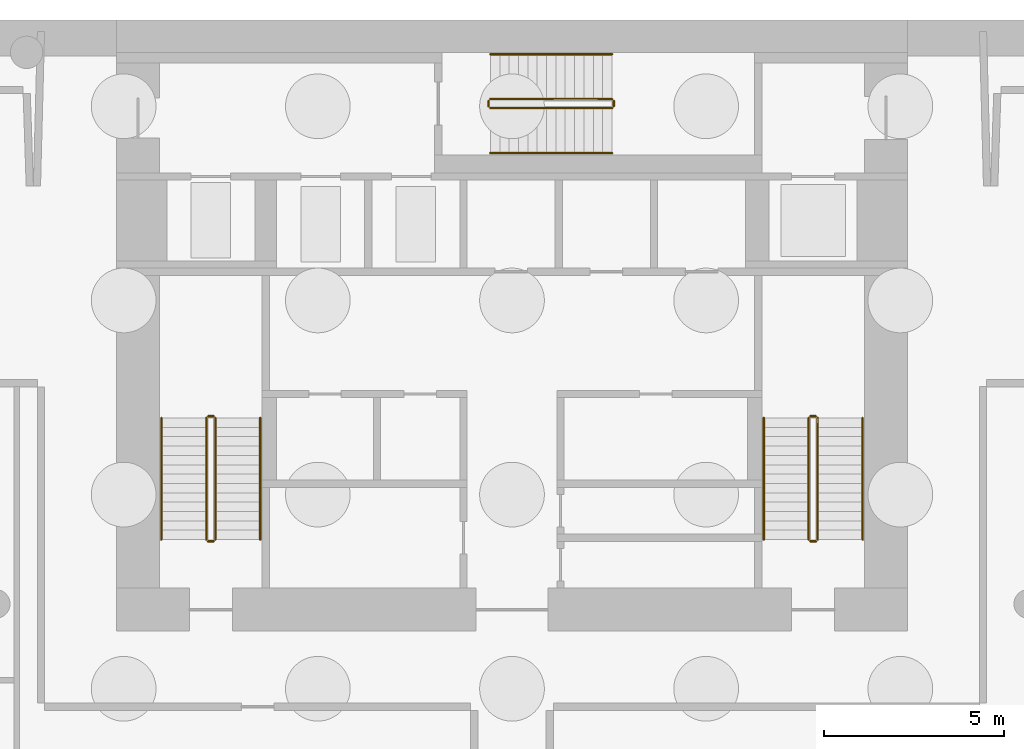
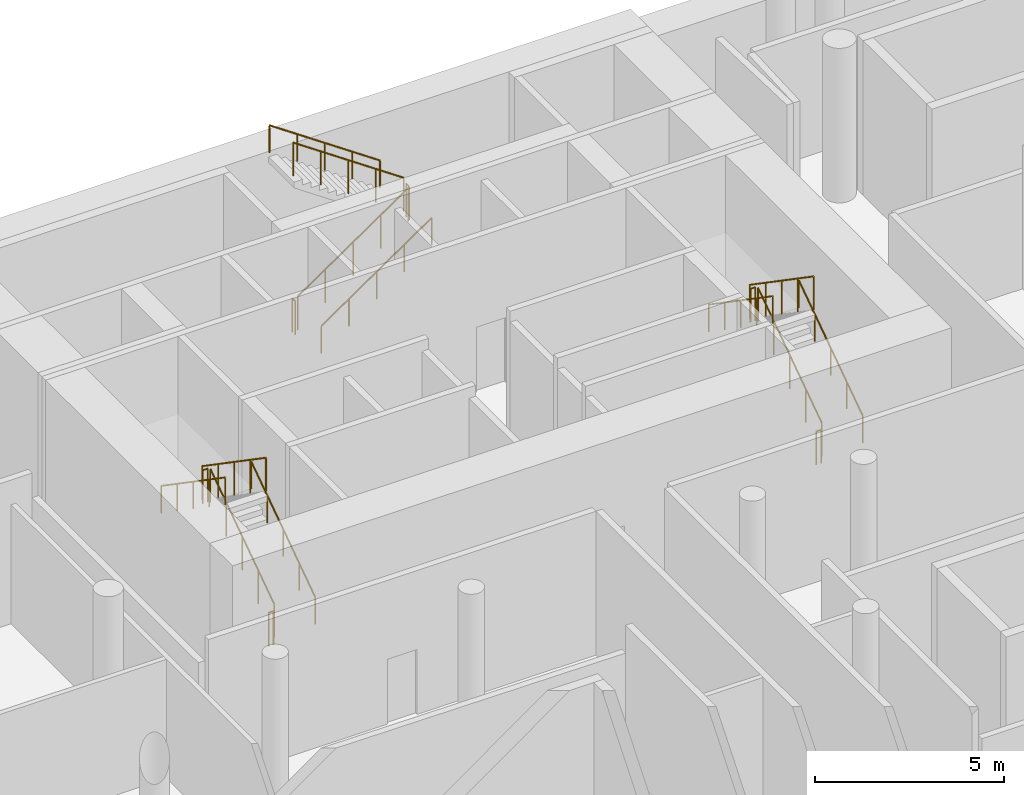
# One storey, part 11 of 12: 18 railings.
"""IFC4 building model written with IfcOpenShell, lengths in metres."""

from ifc_helpers import new_model, si_unit, direction, frame, origin, origin_2d, place, context, subcontext, project, spatial, circle, extrude, material, type_object, element, save


model = new_model("IFC4")

# Units and contexts
model_context = context("Model", 3, precision=1e-05, world=origin(), true_north=direction((0.0, 1.0)))
body_context = subcontext(model_context, "Body", "Model", "MODEL_VIEW")
ifc_project = project(units=[si_unit("LENGTHUNIT", "METRE"), si_unit("AREAUNIT", "SQUARE_METRE"), si_unit("VOLUMEUNIT", "CUBIC_METRE"), si_unit("PLANEANGLEUNIT", "RADIAN"), si_unit("MASSUNIT", "GRAM", prefix="KILO")], contexts=[model_context])

# Site, building, storey
site_placement = place(None, origin())
site = spatial("IfcSite", under=ifc_project, at=site_placement, CompositionType="ELEMENT")
building_placement = place(site_placement, origin())
building = spatial("IfcBuilding", under=site, at=building_placement, Name="White Candle Pilgrim Tower", CompositionType="ELEMENT")
storey_placement = place(building_placement, frame((0.0, 0.0, -10.0)))
storey = spatial("IfcBuildingStorey", under=building, at=storey_placement, Name="B2", CompositionType="ELEMENT", Elevation=-10.0)

# Railings
ifc_material = material(Name="Stainless steel", Category="steel")
railing_type_1 = type_object("IfcRailingType", Name="Stair guard stainless steel 1100 mm", PredefinedType="GUARDRAIL", material=ifc_material)
railing_1_placement = place(storey_placement, frame((61.75, 73.550048828125, 0.178466796875)))
element("IfcRailing", 1, at=railing_1_placement, inside=storey, type_object=railing_type_1, Name="B2 ST1 stair guard 1", PredefinedType="GUARDRAIL", context=body_context, shape_type="SweptSolid", body=[
    extrude(circle(Radius=0.02392578125, at=origin_2d()), frame((0.0, 0.0, 1.076171875), z_axis=(0.0, 0.824285065979, 0.566174999451), x_axis=(-1.0, 0.0, 0.0)), (0.0, 0.0, 1.0), 4.100341796875),
    extrude(circle(Radius=0.02099609375, at=origin_2d()), origin(), (0.0, 0.0, 1.0), 1.052001953125),
    extrude(circle(Radius=0.02099609375, at=origin_2d()), frame((0.0, 0.844970703125, 0.580322265625)), (0.0, 0.0, 1.0), 1.052001953125),
    extrude(circle(Radius=0.02099609375, at=origin_2d()), frame((0.0, 1.68994140625, 1.16064453125)), (0.0, 0.0, 1.0), 1.052001953125),
    extrude(circle(Radius=0.02099609375, at=origin_2d()), frame((0.0, 2.534912109375, 1.7412109375)), (0.0, 0.0, 1.0), 1.052001953125),
    extrude(circle(Radius=0.02099609375, at=origin_2d()), frame((0.0, 3.3798828125, 2.321533203125)), (0.0, 0.0, 1.0), 1.052001953125),
])
railing_2_placement = place(storey_placement, frame((61.699951171875, 76.97998046875, 2.5)))
element("IfcRailing", 2, at=railing_2_placement, inside=storey, type_object=railing_type_1, Name="B2 ST1 stair guard 2", PredefinedType="GUARDRAIL", context=body_context, shape_type="SweptSolid", body=[
    extrude(circle(Radius=0.02392578125, at=origin_2d()), frame((0.0, 0.0, 1.076171875), z_axis=(-1.0, 0.0, 0.0), x_axis=(0.0, -1.0, 0.0)), (0.0, 0.0, 1.0), 0.14990234375),
    extrude(circle(Radius=0.02099609375, at=origin_2d()), origin(), (0.0, 0.0, 1.0), 1.052001953125),
    extrude(circle(Radius=0.02099609375, at=origin_2d()), frame((-0.14990234375, 0.0, 0.0)), (0.0, 0.0, 1.0), 1.052001953125),
])
railing_3_placement = place(storey_placement, frame((61.5, 76.929931640625, 2.678466796875)))
element("IfcRailing", 3, at=railing_3_placement, inside=storey, type_object=railing_type_1, Name="B2 ST1 stair guard 3", PredefinedType="GUARDRAIL", context=body_context, shape_type="SweptSolid", body=[
    extrude(circle(Radius=0.02392578125, at=origin_2d()), frame((0.0, 0.0, 1.076171875), z_axis=(0.0, -0.824285065979, 0.566174999451), x_axis=(1.0, 0.0, 0.0)), (0.0, 0.0, 1.0), 4.100341796875),
    extrude(circle(Radius=0.02099609375, at=origin_2d()), origin(), (0.0, 0.0, 1.0), 1.052001953125),
    extrude(circle(Radius=0.02099609375, at=origin_2d()), frame((0.0, -0.844970703125, 0.580322265625)), (0.0, 0.0, 1.0), 1.052001953125),
    extrude(circle(Radius=0.02099609375, at=origin_2d()), frame((0.0, -1.68994140625, 1.16064453125)), (0.0, 0.0, 1.0), 1.052001953125),
    extrude(circle(Radius=0.02099609375, at=origin_2d()), frame((0.0, -2.534912109375, 1.7412109375)), (0.0, 0.0, 1.0), 1.052001953125),
    extrude(circle(Radius=0.02099609375, at=origin_2d()), frame((0.0, -3.3798828125, 2.321533203125)), (0.0, 0.0, 1.0), 1.052001953125),
])
railing_4_placement = place(storey_placement, frame((61.699951171875, 73.5, 0.0)))
element("IfcRailing", 4, at=railing_4_placement, inside=storey, type_object=railing_type_1, Name="B2 ST1 stair guard 4", PredefinedType="GUARDRAIL", context=body_context, shape_type="SweptSolid", body=[
    extrude(circle(Radius=0.02392578125, at=origin_2d()), frame((0.0, 0.0, 1.076171875), z_axis=(-1.0, 0.0, 0.0), x_axis=(0.0, -1.0, 0.0)), (0.0, 0.0, 1.0), 0.14990234375),
    extrude(circle(Radius=0.02099609375, at=origin_2d()), origin(), (0.0, 0.0, 1.0), 1.052001953125),
    extrude(circle(Radius=0.02099609375, at=origin_2d()), frame((-0.14990234375, 0.0, 0.0)), (0.0, 0.0, 1.0), 1.052001953125),
])
railing_5_placement = place(storey_placement, frame((78.5, 73.550048828125, 0.178466796875)))
element("IfcRailing", 5, at=railing_5_placement, inside=storey, type_object=railing_type_1, Name="B2 ST2 stair guard 1", PredefinedType="GUARDRAIL", context=body_context, shape_type="SweptSolid", body=[
    extrude(circle(Radius=0.02392578125, at=origin_2d()), frame((0.0, 0.0, 1.076171875), z_axis=(0.0, 0.824285065979, 0.566174999451), x_axis=(-1.0, 0.0, 0.0)), (0.0, 0.0, 1.0), 4.100341796875),
    extrude(circle(Radius=0.02099609375, at=origin_2d()), origin(), (0.0, 0.0, 1.0), 1.052001953125),
    extrude(circle(Radius=0.02099609375, at=origin_2d()), frame((0.0, 0.844970703125, 0.580322265625)), (0.0, 0.0, 1.0), 1.052001953125),
    extrude(circle(Radius=0.02099609375, at=origin_2d()), frame((0.0, 1.68994140625, 1.16064453125)), (0.0, 0.0, 1.0), 1.052001953125),
    extrude(circle(Radius=0.02099609375, at=origin_2d()), frame((0.0, 2.534912109375, 1.7412109375)), (0.0, 0.0, 1.0), 1.052001953125),
    extrude(circle(Radius=0.02099609375, at=origin_2d()), frame((0.0, 3.3798828125, 2.321533203125)), (0.0, 0.0, 1.0), 1.052001953125),
])
railing_6_placement = place(storey_placement, frame((78.449951171875, 76.97998046875, 2.5)))
element("IfcRailing", 6, at=railing_6_placement, inside=storey, type_object=railing_type_1, Name="B2 ST2 stair guard 2", PredefinedType="GUARDRAIL", context=body_context, shape_type="SweptSolid", body=[
    extrude(circle(Radius=0.02392578125, at=origin_2d()), frame((0.0, 0.0, 1.076171875), z_axis=(-1.0, 0.0, 0.0), x_axis=(0.0, -1.0, 0.0)), (0.0, 0.0, 1.0), 0.14990234375),
    extrude(circle(Radius=0.02099609375, at=origin_2d()), origin(), (0.0, 0.0, 1.0), 1.052001953125),
    extrude(circle(Radius=0.02099609375, at=origin_2d()), frame((-0.14990234375, 0.0, 0.0)), (0.0, 0.0, 1.0), 1.052001953125),
])
railing_7_placement = place(storey_placement, frame((78.25, 76.929931640625, 2.678466796875)))
element("IfcRailing", 7, at=railing_7_placement, inside=storey, type_object=railing_type_1, Name="B2 ST2 stair guard 3", PredefinedType="GUARDRAIL", context=body_context, shape_type="SweptSolid", body=[
    extrude(circle(Radius=0.02392578125, at=origin_2d()), frame((0.0, 0.0, 1.076171875), z_axis=(0.0, -0.824285065979, 0.566174999451), x_axis=(1.0, 0.0, 0.0)), (0.0, 0.0, 1.0), 4.100341796875),
    extrude(circle(Radius=0.02099609375, at=origin_2d()), origin(), (0.0, 0.0, 1.0), 1.052001953125),
    extrude(circle(Radius=0.02099609375, at=origin_2d()), frame((0.0, -0.844970703125, 0.580322265625)), (0.0, 0.0, 1.0), 1.052001953125),
    extrude(circle(Radius=0.02099609375, at=origin_2d()), frame((0.0, -1.68994140625, 1.16064453125)), (0.0, 0.0, 1.0), 1.052001953125),
    extrude(circle(Radius=0.02099609375, at=origin_2d()), frame((0.0, -2.534912109375, 1.7412109375)), (0.0, 0.0, 1.0), 1.052001953125),
    extrude(circle(Radius=0.02099609375, at=origin_2d()), frame((0.0, -3.3798828125, 2.321533203125)), (0.0, 0.0, 1.0), 1.052001953125),
])
railing_8_placement = place(storey_placement, frame((78.449951171875, 73.5, 0.0)))
element("IfcRailing", 8, at=railing_8_placement, inside=storey, type_object=railing_type_1, Name="B2 ST2 stair guard 4", PredefinedType="GUARDRAIL", context=body_context, shape_type="SweptSolid", body=[
    extrude(circle(Radius=0.02392578125, at=origin_2d()), frame((0.0, 0.0, 1.076171875), z_axis=(-1.0, 0.0, 0.0), x_axis=(0.0, -1.0, 0.0)), (0.0, 0.0, 1.0), 0.14990234375),
    extrude(circle(Radius=0.02099609375, at=origin_2d()), origin(), (0.0, 0.0, 1.0), 1.052001953125),
    extrude(circle(Radius=0.02099609375, at=origin_2d()), frame((-0.14990234375, 0.0, 0.0)), (0.0, 0.0, 1.0), 1.052001953125),
])
railing_9_placement = place(storey_placement, frame((69.39990234375, 85.550048828125, 0.178466796875)))
element("IfcRailing", 9, at=railing_9_placement, inside=storey, type_object=railing_type_1, Name="B2 ST3 stair guard 1", PredefinedType="GUARDRAIL", context=body_context, shape_type="SweptSolid", body=[
    extrude(circle(Radius=0.02392578125, at=origin_2d()), frame((0.0, 0.0, 1.076171875), z_axis=(0.824304150675, 0.0, 0.566147213346), x_axis=(0.0, 1.0, 0.0)), (0.0, 0.0, 1.0), 4.1005859375),
    extrude(circle(Radius=0.02099609375, at=origin_2d()), origin(), (0.0, 0.0, 1.0), 1.052001953125),
    extrude(circle(Radius=0.02099609375, at=origin_2d()), frame((0.844970703125, 0.0, 0.580322265625)), (0.0, 0.0, 1.0), 1.052001953125),
    extrude(circle(Radius=0.02099609375, at=origin_2d()), frame((1.68994140625, 0.0, 1.16064453125)), (0.0, 0.0, 1.0), 1.052001953125),
    extrude(circle(Radius=0.02099609375, at=origin_2d()), frame((2.53515625, 0.0, 1.7412109375)), (0.0, 0.0, 1.0), 1.052001953125),
    extrude(circle(Radius=0.02099609375, at=origin_2d()), frame((3.380126953125, 0.0, 2.321533203125)), (0.0, 0.0, 1.0), 1.052001953125),
])
railing_10_placement = place(storey_placement, frame((72.830078125, 85.60009765625, 2.5)))
element("IfcRailing", 10, at=railing_10_placement, inside=storey, type_object=railing_type_1, Name="B2 ST3 stair guard 2", PredefinedType="GUARDRAIL", context=body_context, shape_type="SweptSolid", body=[
    extrude(circle(Radius=0.02392578125, at=origin_2d()), frame((0.0, 0.0, 1.076171875), z_axis=(0.0, 1.0, 0.0), x_axis=(-1.0, 0.0, 0.0)), (0.0, 0.0, 1.0), 0.14990234375),
    extrude(circle(Radius=0.02099609375, at=origin_2d()), origin(), (0.0, 0.0, 1.0), 1.052001953125),
    extrude(circle(Radius=0.02099609375, at=origin_2d()), frame((0.0, 0.14990234375, 0.0)), (0.0, 0.0, 1.0), 1.052001953125),
])
railing_11_placement = place(storey_placement, frame((72.780029296875, 85.800048828125, 2.678466796875)))
element("IfcRailing", 11, at=railing_11_placement, inside=storey, type_object=railing_type_1, Name="B2 ST3 stair guard 3", PredefinedType="GUARDRAIL", context=body_context, shape_type="SweptSolid", body=[
    extrude(circle(Radius=0.02392578125, at=origin_2d()), frame((0.0, 0.0, 1.076171875), z_axis=(-0.824304150675, 0.0, 0.566147213346), x_axis=(0.0, -1.0, 0.0)), (0.0, 0.0, 1.0), 4.1005859375),
    extrude(circle(Radius=0.02099609375, at=origin_2d()), origin(), (0.0, 0.0, 1.0), 1.052001953125),
    extrude(circle(Radius=0.02099609375, at=origin_2d()), frame((-0.844970703125, 0.0, 0.580322265625)), (0.0, 0.0, 1.0), 1.052001953125),
    extrude(circle(Radius=0.02099609375, at=origin_2d()), frame((-1.68994140625, 0.0, 1.16064453125)), (0.0, 0.0, 1.0), 1.052001953125),
    extrude(circle(Radius=0.02099609375, at=origin_2d()), frame((-2.53515625, 0.0, 1.7412109375)), (0.0, 0.0, 1.0), 1.052001953125),
    extrude(circle(Radius=0.02099609375, at=origin_2d()), frame((-3.380126953125, 0.0, 2.321533203125)), (0.0, 0.0, 1.0), 1.052001953125),
])
railing_12_placement = place(storey_placement, frame((69.35009765625, 85.60009765625, 0.0)))
element("IfcRailing", 12, at=railing_12_placement, inside=storey, type_object=railing_type_1, Name="B2 ST3 stair guard 4", PredefinedType="GUARDRAIL", context=body_context, shape_type="SweptSolid", body=[
    extrude(circle(Radius=0.02392578125, at=origin_2d()), frame((0.0, 0.0, 1.076171875), z_axis=(0.0, 1.0, 0.0), x_axis=(-1.0, 0.0, 0.0)), (0.0, 0.0, 1.0), 0.14990234375),
    extrude(circle(Radius=0.02099609375, at=origin_2d()), origin(), (0.0, 0.0, 1.0), 1.052001953125),
    extrude(circle(Radius=0.02099609375, at=origin_2d()), frame((0.0, 0.14990234375, 0.0)), (0.0, 0.0, 1.0), 1.052001953125),
])
railing_type_2 = type_object("IfcRailingType", Name="Stair handrail stainless steel", PredefinedType="HANDRAIL", material=ifc_material)
railing_13_placement = place(storey_placement, frame((63.0, 73.550048828125, 0.178466796875)))
element("IfcRailing", 13, at=railing_13_placement, inside=storey, type_object=railing_type_2, Name="B2 ST1 stair handrail 1", PredefinedType="HANDRAIL", context=body_context, shape_type="SweptSolid", body=[
    extrude(circle(Radius=0.02392578125, at=origin_2d()), frame((0.0, 0.0, 0.8759765625), z_axis=(0.0, 0.824285065979, 0.566174999451), x_axis=(-1.0, 0.0, 0.0)), (0.0, 0.0, 1.0), 4.100341796875),
    extrude(circle(Radius=0.02099609375, at=origin_2d()), origin(), (0.0, 0.0, 1.0), 0.851806640625),
    extrude(circle(Radius=0.02099609375, at=origin_2d()), frame((0.0, 0.844970703125, 0.580322265625)), (0.0, 0.0, 1.0), 0.851806640625),
    extrude(circle(Radius=0.02099609375, at=origin_2d()), frame((0.0, 1.68994140625, 1.16064453125)), (0.0, 0.0, 1.0), 0.851806640625),
    extrude(circle(Radius=0.02099609375, at=origin_2d()), frame((0.0, 2.534912109375, 1.7412109375)), (0.0, 0.0, 1.0), 0.851806640625),
    extrude(circle(Radius=0.02099609375, at=origin_2d()), frame((0.0, 3.3798828125, 2.321533203125)), (0.0, 0.0, 1.0), 0.851806640625),
])
railing_14_placement = place(storey_placement, frame((60.25, 76.929931640625, 2.678466796875)))
element("IfcRailing", 14, at=railing_14_placement, inside=storey, type_object=railing_type_2, Name="B2 ST1 stair handrail 2", PredefinedType="HANDRAIL", context=body_context, shape_type="SweptSolid", body=[
    extrude(circle(Radius=0.02392578125, at=origin_2d()), frame((0.0, 0.0, 0.8759765625), z_axis=(0.0, -0.824285065979, 0.566174999451), x_axis=(1.0, 0.0, 0.0)), (0.0, 0.0, 1.0), 4.100341796875),
    extrude(circle(Radius=0.02099609375, at=origin_2d()), origin(), (0.0, 0.0, 1.0), 0.851806640625),
    extrude(circle(Radius=0.02099609375, at=origin_2d()), frame((0.0, -0.844970703125, 0.580322265625)), (0.0, 0.0, 1.0), 0.851806640625),
    extrude(circle(Radius=0.02099609375, at=origin_2d()), frame((0.0, -1.68994140625, 1.16064453125)), (0.0, 0.0, 1.0), 0.851806640625),
    extrude(circle(Radius=0.02099609375, at=origin_2d()), frame((0.0, -2.534912109375, 1.7412109375)), (0.0, 0.0, 1.0), 0.851806640625),
    extrude(circle(Radius=0.02099609375, at=origin_2d()), frame((0.0, -3.3798828125, 2.321533203125)), (0.0, 0.0, 1.0), 0.851806640625),
])
railing_15_placement = place(storey_placement, frame((79.75, 73.550048828125, 0.178466796875)))
element("IfcRailing", 15, at=railing_15_placement, inside=storey, type_object=railing_type_2, Name="B2 ST2 stair handrail 1", PredefinedType="HANDRAIL", context=body_context, shape_type="SweptSolid", body=[
    extrude(circle(Radius=0.02392578125, at=origin_2d()), frame((0.0, 0.0, 0.8759765625), z_axis=(0.0, 0.824285065979, 0.566174999451), x_axis=(-1.0, 0.0, 0.0)), (0.0, 0.0, 1.0), 4.100341796875),
    extrude(circle(Radius=0.02099609375, at=origin_2d()), origin(), (0.0, 0.0, 1.0), 0.851806640625),
    extrude(circle(Radius=0.02099609375, at=origin_2d()), frame((0.0, 0.844970703125, 0.580322265625)), (0.0, 0.0, 1.0), 0.851806640625),
    extrude(circle(Radius=0.02099609375, at=origin_2d()), frame((0.0, 1.68994140625, 1.16064453125)), (0.0, 0.0, 1.0), 0.851806640625),
    extrude(circle(Radius=0.02099609375, at=origin_2d()), frame((0.0, 2.534912109375, 1.7412109375)), (0.0, 0.0, 1.0), 0.851806640625),
    extrude(circle(Radius=0.02099609375, at=origin_2d()), frame((0.0, 3.3798828125, 2.321533203125)), (0.0, 0.0, 1.0), 0.851806640625),
])
railing_16_placement = place(storey_placement, frame((77.0, 76.929931640625, 2.678466796875)))
element("IfcRailing", 16, at=railing_16_placement, inside=storey, type_object=railing_type_2, Name="B2 ST2 stair handrail 2", PredefinedType="HANDRAIL", context=body_context, shape_type="SweptSolid", body=[
    extrude(circle(Radius=0.02392578125, at=origin_2d()), frame((0.0, 0.0, 0.8759765625), z_axis=(0.0, -0.824285065979, 0.566174999451), x_axis=(1.0, 0.0, 0.0)), (0.0, 0.0, 1.0), 4.100341796875),
    extrude(circle(Radius=0.02099609375, at=origin_2d()), origin(), (0.0, 0.0, 1.0), 0.851806640625),
    extrude(circle(Radius=0.02099609375, at=origin_2d()), frame((0.0, -0.844970703125, 0.580322265625)), (0.0, 0.0, 1.0), 0.851806640625),
    extrude(circle(Radius=0.02099609375, at=origin_2d()), frame((0.0, -1.68994140625, 1.16064453125)), (0.0, 0.0, 1.0), 0.851806640625),
    extrude(circle(Radius=0.02099609375, at=origin_2d()), frame((0.0, -2.534912109375, 1.7412109375)), (0.0, 0.0, 1.0), 0.851806640625),
    extrude(circle(Radius=0.02099609375, at=origin_2d()), frame((0.0, -3.3798828125, 2.321533203125)), (0.0, 0.0, 1.0), 0.851806640625),
])
railing_17_placement = place(storey_placement, frame((69.39990234375, 84.300048828125, 0.178466796875)))
element("IfcRailing", 17, at=railing_17_placement, inside=storey, type_object=railing_type_2, Name="B2 ST3 stair handrail 1", PredefinedType="HANDRAIL", context=body_context, shape_type="SweptSolid", body=[
    extrude(circle(Radius=0.02392578125, at=origin_2d()), frame((0.0, 0.0, 0.8759765625), z_axis=(0.824304150675, 0.0, 0.566147213346), x_axis=(0.0, 1.0, 0.0)), (0.0, 0.0, 1.0), 4.1005859375),
    extrude(circle(Radius=0.02099609375, at=origin_2d()), origin(), (0.0, 0.0, 1.0), 0.851806640625),
    extrude(circle(Radius=0.02099609375, at=origin_2d()), frame((0.844970703125, 0.0, 0.580322265625)), (0.0, 0.0, 1.0), 0.851806640625),
    extrude(circle(Radius=0.02099609375, at=origin_2d()), frame((1.68994140625, 0.0, 1.16064453125)), (0.0, 0.0, 1.0), 0.851806640625),
    extrude(circle(Radius=0.02099609375, at=origin_2d()), frame((2.53515625, 0.0, 1.7412109375)), (0.0, 0.0, 1.0), 0.851806640625),
    extrude(circle(Radius=0.02099609375, at=origin_2d()), frame((3.380126953125, 0.0, 2.321533203125)), (0.0, 0.0, 1.0), 0.851806640625),
])
railing_18_placement = place(storey_placement, frame((72.780029296875, 87.050048828125, 2.678466796875)))
element("IfcRailing", 18, at=railing_18_placement, inside=storey, type_object=railing_type_2, Name="B2 ST3 stair handrail 2", PredefinedType="HANDRAIL", context=body_context, shape_type="SweptSolid", body=[
    extrude(circle(Radius=0.02392578125, at=origin_2d()), frame((0.0, 0.0, 0.8759765625), z_axis=(-0.824304150675, 0.0, 0.566147213346), x_axis=(0.0, -1.0, 0.0)), (0.0, 0.0, 1.0), 4.1005859375),
    extrude(circle(Radius=0.02099609375, at=origin_2d()), origin(), (0.0, 0.0, 1.0), 0.851806640625),
    extrude(circle(Radius=0.02099609375, at=origin_2d()), frame((-0.844970703125, 0.0, 0.580322265625)), (0.0, 0.0, 1.0), 0.851806640625),
    extrude(circle(Radius=0.02099609375, at=origin_2d()), frame((-1.68994140625, 0.0, 1.16064453125)), (0.0, 0.0, 1.0), 0.851806640625),
    extrude(circle(Radius=0.02099609375, at=origin_2d()), frame((-2.53515625, 0.0, 1.7412109375)), (0.0, 0.0, 1.0), 0.851806640625),
    extrude(circle(Radius=0.02099609375, at=origin_2d()), frame((-3.380126953125, 0.0, 2.321533203125)), (0.0, 0.0, 1.0), 0.851806640625),
])

save(model, "model.ifc")
